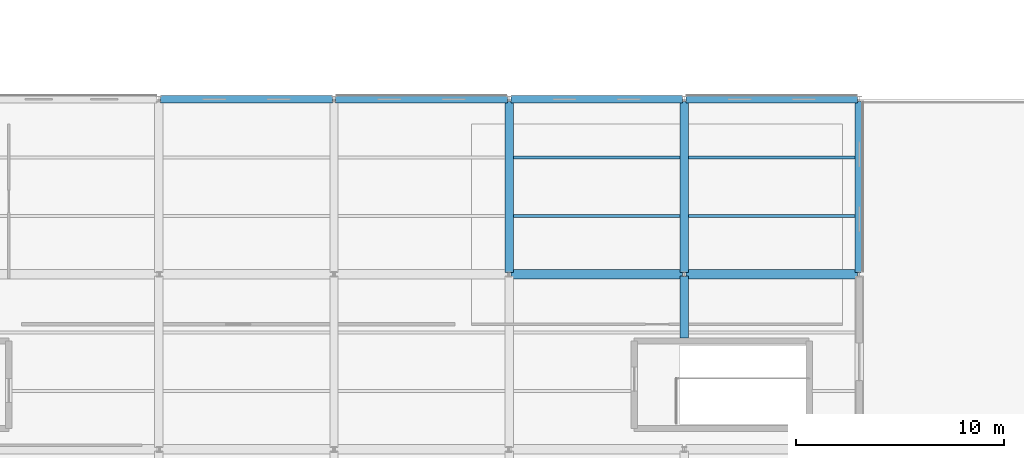
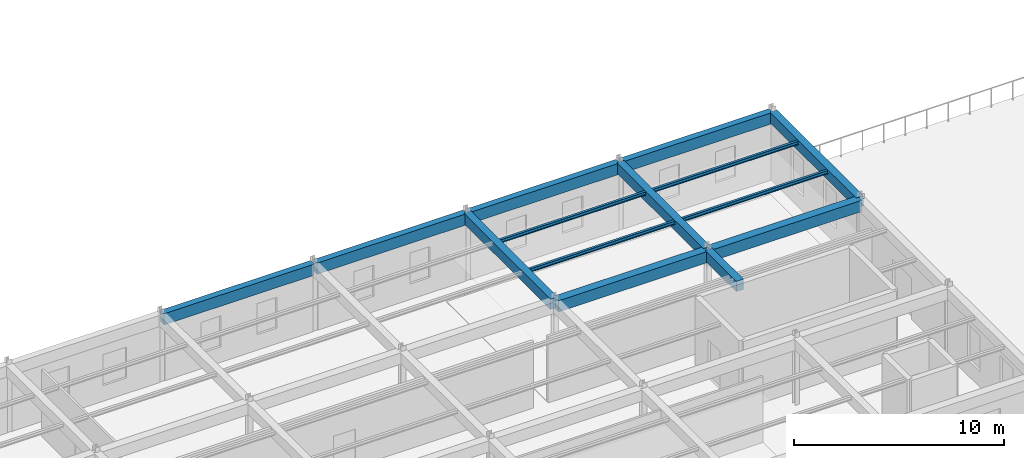
# One storey, part 6 of 83: 14 beams.
"""IFC4 building model written with IfcOpenShell, lengths in metres."""

from ifc_helpers import new_model, si_unit, direction, frame, origin, origin_2d, place, context, subcontext, project, spatial, rectangle, i_section, extrude, material, material_profile, profile_set, type_object, element, save


model = new_model("IFC4")

# Units and contexts
model_context = context("Model", 3, precision=1e-05, world=origin(), true_north=direction((0.0, 1.0)))
body_context = subcontext(model_context, "Body", "Model", "MODEL_VIEW")
ifc_project = project(units=[si_unit("LENGTHUNIT", "METRE"), si_unit("AREAUNIT", "SQUARE_METRE"), si_unit("VOLUMEUNIT", "CUBIC_METRE"), si_unit("PLANEANGLEUNIT", "RADIAN"), si_unit("MASSUNIT", "GRAM", prefix="KILO"), si_unit("THERMODYNAMICTEMPERATUREUNIT", "KELVIN"), si_unit("POWERUNIT", "WATT")], contexts=[model_context])

# Site, building, storey
site_placement = place(None, origin())
site = spatial("IfcSite", under=ifc_project, at=site_placement, CompositionType="ELEMENT")
building_placement = place(site_placement, origin())
building = spatial("IfcBuilding", under=site, at=building_placement, Name="Darbajah Civic Hall", CompositionType="ELEMENT")
storey_placement = place(building_placement, frame((0.0, 0.0, 18.0)))
storey = spatial("IfcBuildingStorey", under=building, at=storey_placement, Name="L04", CompositionType="ELEMENT", Elevation=18.0)

# Beams
ifc_material_1 = material(Name="Concrete C45/55", Category="concrete")
ifc_material_profile_1 = material_profile(ifc_material_1, rectangle(XDim=0.39990234375, YDim=0.60009765625, at=origin_2d()), Name="RC BEAM 400x600")
ifc_profile_set_1 = profile_set([ifc_material_profile_1], Name="Concrete C45/55")
beam_type_1 = type_object("IfcBeamType", Name="RC BEAM 400x600", PredefinedType="BEAM", material=ifc_profile_set_1)
beam_1_placement = place(storey_placement, frame((33.60009765625, 33.679931640625, 3.6201171875), z_axis=(0.0, 1.0, 0.0), x_axis=(-1.0, 0.0, 0.0)))
element("IfcBeam", 1, at=beam_1_placement, inside=storey, type_object=beam_type_1, Name="L04 beam BM-4060", PredefinedType="BEAM", context=body_context, shape_type="SweptSolid", body=[
    extrude(rectangle(XDim=0.39990234375, YDim=0.60009765625, at=origin_2d()), origin(), (0.0, 0.0, 1.0), 8.239990234375),
])
beam_2_placement = place(storey_placement, frame((42.0, 30.5400390625, 3.6201171875), z_axis=(0.0, 1.0, 0.0), x_axis=(-1.0, 0.0, 0.0)))
element("IfcBeam", 2, at=beam_2_placement, inside=storey, type_object=beam_type_1, Name="L04 beam BM-4060", PredefinedType="BEAM", context=body_context, shape_type="SweptSolid", body=[
    extrude(rectangle(XDim=0.39990234375, YDim=0.60009765625, at=origin_2d()), origin(), (0.0, 0.0, 1.0), 2.97998046875),
])
for number, where, z_axis, x_axis, name in (
    (3, (42.0, 33.679931640625, 3.6201171875), (0.0, 1.0, 0.0), (-1.0, 0.0, 0.0), "L04 beam BM-4060"),
    (4, (50.39990234375, 33.679931640625, 3.6201171875), (0.0, 1.0, 0.0), (-1.0, 0.0, 0.0), "L04 beam BM-4060"),
):
    element("IfcBeam", number, at=place(storey_placement, frame(where, z_axis=z_axis, x_axis=x_axis)), inside=storey, type_object=beam_type_1, Name=name, PredefinedType="BEAM", context=body_context, shape_type="SweptSolid", body=[
        extrude(rectangle(XDim=0.39990234375, YDim=0.60009765625, at=origin_2d()), origin(), (0.0, 0.0, 1.0), 8.239990234375),
    ])
ifc_material_profile_2 = material_profile(ifc_material_1, rectangle(XDim=0.449951171875, YDim=0.64990234375, at=origin_2d()), Name="RC BEAM 450x650")
ifc_profile_set_2 = profile_set([ifc_material_profile_2], Name="Concrete C45/55")
beam_type_2 = type_object("IfcBeamType", Name="RC BEAM 450x650", PredefinedType="BEAM", material=ifc_profile_set_2)
for number, where, z_axis, x_axis, name in (
    (5, (33.679931640625, 33.60009765625, 3.594970703125), (1.0, 0.0, 0.0), (0.0, 1.0, 0.0), "L04 beam BM-4565"),
    (6, (42.080078125, 33.60009765625, 3.594970703125), (1.0, 0.0, 0.0), (0.0, 1.0, 0.0), "L04 beam BM-4565"),
):
    element("IfcBeam", number, at=place(storey_placement, frame(where, z_axis=z_axis, x_axis=x_axis)), inside=storey, type_object=beam_type_2, Name=name, PredefinedType="BEAM", context=body_context, shape_type="SweptSolid", body=[
        extrude(rectangle(XDim=0.449951171875, YDim=0.64990234375, at=origin_2d()), origin(), (0.0, 0.0, 1.0), 8.239990234375),
    ])
ifc_material_profile_3 = material_profile(ifc_material_1, rectangle(XDim=0.35009765625, YDim=0.64990234375, at=origin_2d()), Name="RC SPANDREL 350x650")
ifc_profile_set_3 = profile_set([ifc_material_profile_3], Name="Concrete C45/55")
beam_type_3 = type_object("IfcBeamType", Name="RC SPANDREL 350x650", PredefinedType="SPANDREL", material=ifc_profile_set_3)
beam_3_placement = place(storey_placement, frame((16.8798828125, 42.0, 3.594970703125), z_axis=(1.0, 0.0, 0.0), x_axis=(0.0, 1.0, 0.0)))
element("IfcBeam", 7, at=beam_3_placement, inside=storey, type_object=beam_type_3, Name="L04 beam SP-3565", PredefinedType="SPANDREL", context=body_context, shape_type="SweptSolid", body=[
    extrude(rectangle(XDim=0.35009765625, YDim=0.64990234375, at=origin_2d()), origin(), (0.0, 0.0, 1.0), 8.240234375),
])
for number, where, z_axis, x_axis, name in (
    (8, (25.280029296875, 42.0, 3.594970703125), (1.0, 0.0, 0.0), (0.0, 1.0, 0.0), "L04 beam SP-3565"),
    (9, (33.679931640625, 42.0, 3.594970703125), (1.0, 0.0, 0.0), (0.0, 1.0, 0.0), "L04 beam SP-3565"),
    (10, (42.080078125, 42.0, 3.594970703125), (1.0, 0.0, 0.0), (0.0, 1.0, 0.0), "L04 beam SP-3565"),
):
    element("IfcBeam", number, at=place(storey_placement, frame(where, z_axis=z_axis, x_axis=x_axis)), inside=storey, type_object=beam_type_3, Name=name, PredefinedType="SPANDREL", context=body_context, shape_type="SweptSolid", body=[
        extrude(rectangle(XDim=0.35009765625, YDim=0.64990234375, at=origin_2d()), origin(), (0.0, 0.0, 1.0), 8.239990234375),
    ])
ifc_material_2 = material(Name="Steel S355JR", Category="steel")
ifc_material_profile_4 = material_profile(ifc_material_2, i_section(OverallWidth=0.1337890625, OverallDepth=0.206787109375, WebThickness=0.00634765625, FlangeThickness=0.009521484375, FilletRadius=0.007568359375, at=origin_2d()), Name="UB 203x133x30")
ifc_profile_set_4 = profile_set([ifc_material_profile_4], Name="Steel S355JR")
beam_type_4 = type_object("IfcBeamType", Name="UB 203x133x30", PredefinedType="JOIST", material=ifc_profile_set_4)
for number, where, z_axis, x_axis, name in (
    (11, (33.800048828125, 36.39990234375, 3.816650390625), (1.0, 0.0, 0.0), (0.0, 1.0, 0.0), "L04 beam SJ-203"),
    (12, (33.800048828125, 39.199951171875, 3.816650390625), (1.0, 0.0, 0.0), (0.0, 1.0, 0.0), "L04 beam SJ-203"),
    (13, (42.199951171875, 36.39990234375, 3.816650390625), (1.0, 0.0, 0.0), (0.0, 1.0, 0.0), "L04 beam SJ-203"),
    (14, (42.199951171875, 39.199951171875, 3.816650390625), (1.0, 0.0, 0.0), (0.0, 1.0, 0.0), "L04 beam SJ-203"),
):
    element("IfcBeam", number, at=place(storey_placement, frame(where, z_axis=z_axis, x_axis=x_axis)), inside=storey, type_object=beam_type_4, Name=name, PredefinedType="JOIST", context=body_context, shape_type="SweptSolid", body=[
        extrude(i_section(OverallWidth=0.1337890625, OverallDepth=0.206787109375, WebThickness=0.00634765625, FlangeThickness=0.009521484375, FilletRadius=0.007568359375, at=origin_2d()), origin(), (0.0, 0.0, 1.0), 8.0),
    ])

save(model, "model.ifc")
